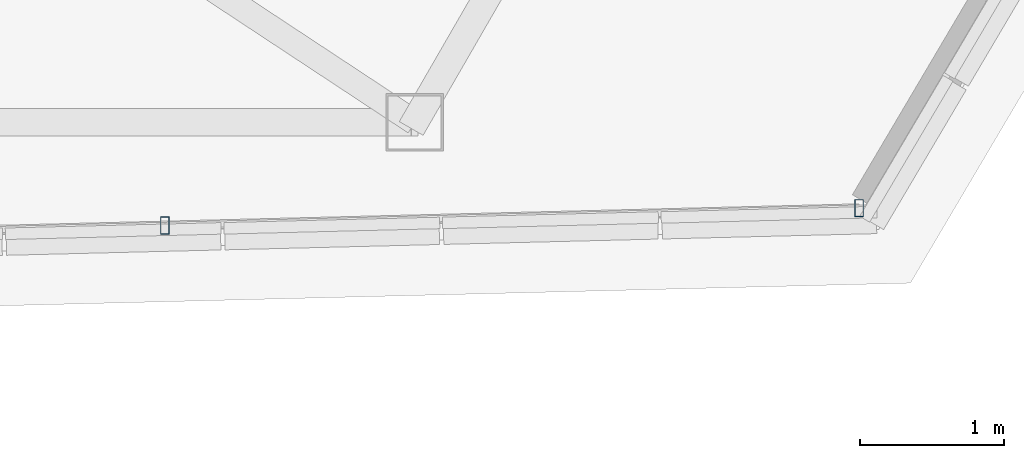
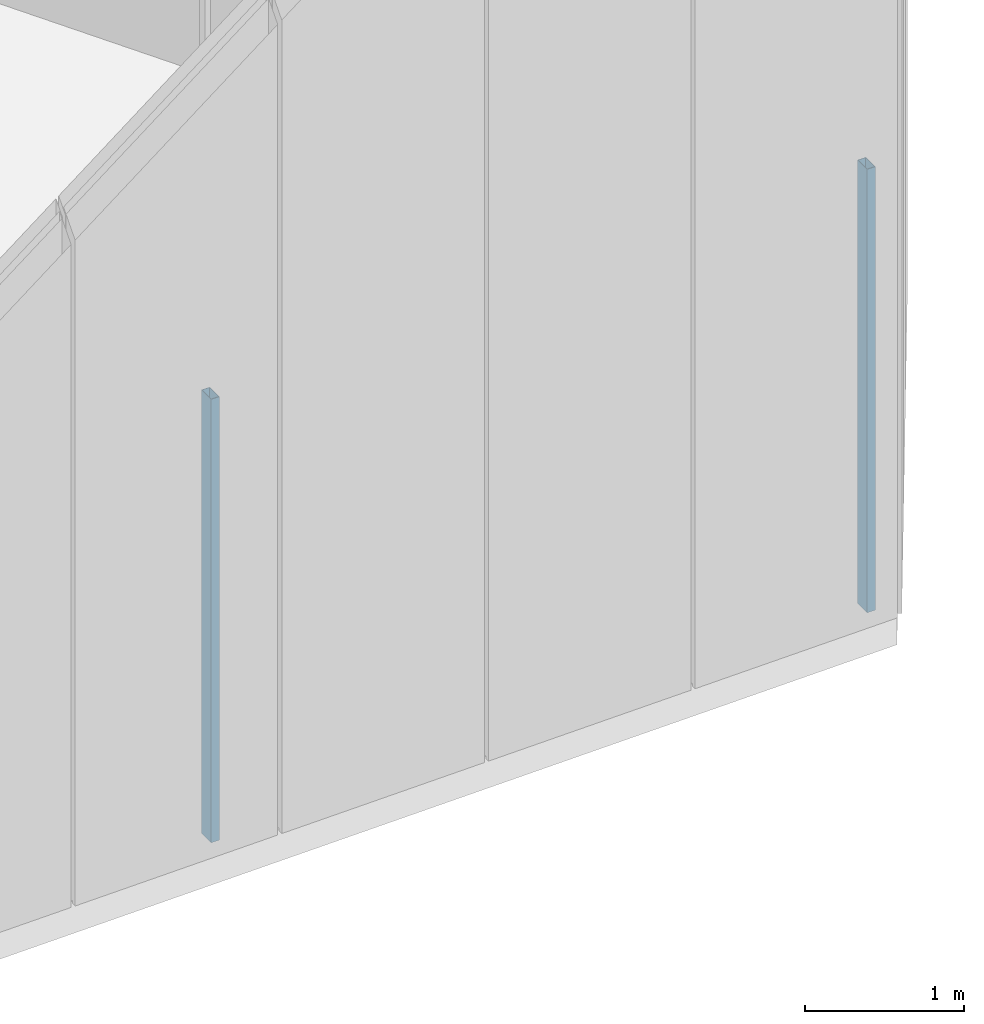
# One storey, part 22 of 50: 2 members, 1 element without a shape of its own.
"""IFC4 building model written with IfcOpenShell, lengths in metres."""

from ifc_helpers import new_model, si_unit, direction, frame, origin, origin_2d, place, context, subcontext, project, spatial, hollow_rectangle, extrude, source, transform, mapped, material, material_profile, profile_set, type_object, type_shapes, element, aggregate, save


model = new_model("IFC4")

# Units and contexts
model_context = context("Model", 3, precision=1e-05, world=origin(), true_north=direction((0.0, 1.0)))
body_context = subcontext(model_context, "Body", "Model", "MODEL_VIEW")
ifc_project = project(units=[si_unit("LENGTHUNIT", "METRE"), si_unit("AREAUNIT", "SQUARE_METRE"), si_unit("VOLUMEUNIT", "CUBIC_METRE"), si_unit("PLANEANGLEUNIT", "RADIAN"), si_unit("MASSUNIT", "GRAM", prefix="KILO")], contexts=[model_context])

# Site, building, storey
site_placement = place(None, origin())
site = spatial("IfcSite", under=ifc_project, at=site_placement, CompositionType="ELEMENT")
building_placement = place(site_placement, origin())
building = spatial("IfcBuilding", under=site, at=building_placement, Name="Caelisora Broadcast Tower", CompositionType="ELEMENT")
storey_placement = place(building_placement, frame((0.0, 0.0, 303.39990234375)))
storey = spatial("IfcBuildingStorey", under=building, at=storey_placement, Name="L80", CompositionType="ELEMENT", Elevation=303.39990234375)

# Curtain wall, members
ifc_material_1 = material(Name="Unitised Aluminium Insulated Shadow-Box Spandrel Curtain Wall", Category="aluminium")
curtain_wall_type = type_object("IfcCurtainWallType", Name="CW-SP3", PredefinedType="NOTDEFINED", material=ifc_material_1)
curtain_wall_placement = place(storey_placement, origin())
curtain_wall = element("IfcCurtainWall", 1, at=curtain_wall_placement, inside=storey, type_object=curtain_wall_type, Name="L80 curtain wall CW-SP3", PredefinedType="NOTDEFINED")
ifc_material_2 = material(Name="Aluminium 6063-T6 Anodised Terracotta Bronze", Category="aluminium")
ifc_material_profile = material_profile(ifc_material_2, hollow_rectangle(XDim=0.06005859375, YDim=0.1201171875, WallThickness=0.0029296875, at=origin_2d()), Name="Aluminium 6063-T6 Anodised Terracotta Bronze")
ifc_profile_set = profile_set([ifc_material_profile], Name="Aluminium 6063-T6 Anodised Terracotta Bronze")
member_type = type_object("IfcMemberType", Name="CWM-04", PredefinedType="MULLION", material=ifc_profile_set)
shared_shape = source(origin(), body_context, "Body", "SweptSolid", [
    extrude(hollow_rectangle(XDim=0.06005859375, YDim=0.1201171875, WallThickness=0.0029296875, at=origin_2d()), origin(), (0.0, 0.0, 1.0), 3.400146484375),
])
type_shapes(member_type, [shared_shape])
member_1_placement = place(storey_placement, frame((59.427978515625, 9.65380859375, 0.0), z_axis=(0.0, 0.0, 1.0), x_axis=(1.0, 0.0, 0.0)))
member_1 = element("IfcMember", 2, at=member_1_placement, type_object=member_type, Name="L80-CW-B05 mullion #0", PredefinedType="MULLION", context=body_context, shape_type="MappedRepresentation", body=[
    mapped(shared_shape, transform((0.0, 0.0, 0.0), scale=1.0)),
])
member_2_placement = place(storey_placement, frame((54.6015625, 9.533447265625, 0.0), z_axis=(0.0, 0.0, 1.0), x_axis=(1.0, 0.0, 0.0)))
member_2 = element("IfcMember", 3, at=member_2_placement, type_object=member_type, Name="L80-CW-B05 mullion #1", PredefinedType="MULLION", context=body_context, shape_type="MappedRepresentation", body=[
    mapped(shared_shape, transform((0.0, 0.0, 0.0), scale=1.0)),
])
aggregate(curtain_wall, [member_1, member_2])

save(model, "model.ifc")
